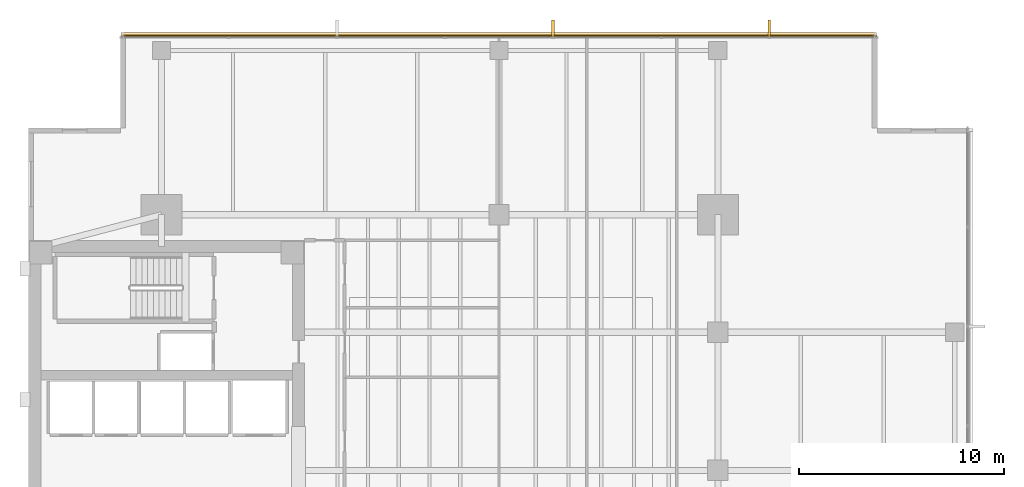
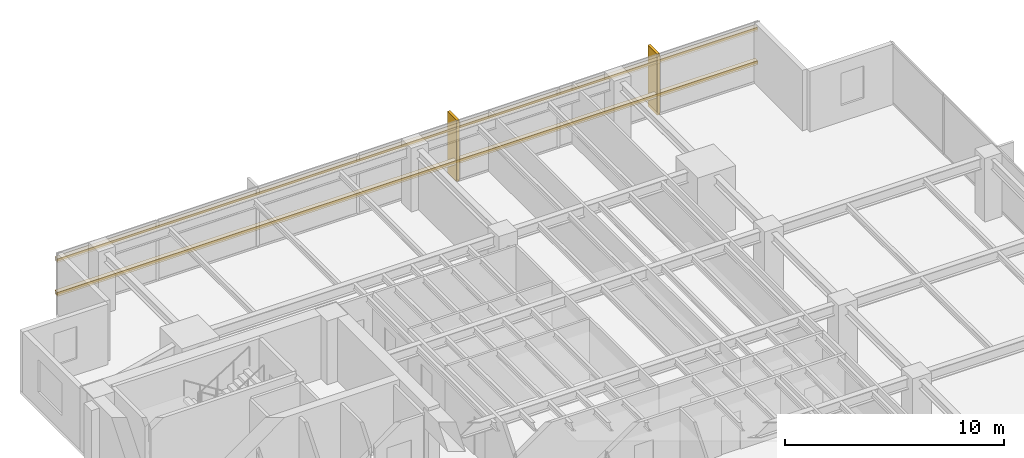
# One storey, part 14 of 14: 4 coverings, 2 shading devices.
"""IFC4 building model written with IfcOpenShell, lengths in metres."""

from ifc_helpers import new_model, si_unit, direction, frame, origin, origin_2d, place, context, subcontext, project, spatial, polyline, rectangle, outline, extrude, material, layer, layer_set, material_profile, profile_set, type_object, element, save


model = new_model("IFC4")

# Units and contexts
model_context = context("Model", 3, precision=1e-05, world=origin(), true_north=direction((0.0, 1.0)))
body_context = subcontext(model_context, "Body", "Model", "MODEL_VIEW")
ifc_project = project(units=[si_unit("LENGTHUNIT", "METRE"), si_unit("AREAUNIT", "SQUARE_METRE"), si_unit("VOLUMEUNIT", "CUBIC_METRE"), si_unit("PLANEANGLEUNIT", "RADIAN"), si_unit("MASSUNIT", "GRAM", prefix="KILO")], contexts=[model_context])

# Site, building, storey
site_placement = place(None, origin())
site = spatial("IfcSite", under=ifc_project, at=site_placement, CompositionType="ELEMENT")
building_placement = place(site_placement, origin())
building = spatial("IfcBuilding", under=site, at=building_placement, Name="Kinhvarn Gate Tower", CompositionType="ELEMENT")
storey_placement = place(building_placement, frame((0.0, 0.0, 127.10009765625)))
storey = spatial("IfcBuildingStorey", under=building, at=storey_placement, Name="L33", CompositionType="ELEMENT", Elevation=127.10009765625)

# Coverings
ifc_material = material(Name="Fired architectural terracotta", Category="masonry")
ifc_layer_1 = layer(ifc_material, 0.239990234375)
ifc_layer_set_1 = layer_set([ifc_layer_1], Name="Fired architectural terracotta")
covering_type_1 = type_object("IfcCoveringType", Name="COV-BAG-220", PredefinedType="CLADDING", material=ifc_layer_set_1)
for number, where, name in (
    (1, (0.0, 0.0, 0.93994140625), "Terracotta Horizontal Sunscreen Band TBG-220 (L33)"),
    (2, (0.0, 0.0, 2.809814453125), "Terracotta Horizontal Sunscreen Band TBG-220 (L33)"),
):
    element("IfcCovering", number, at=place(storey_placement, frame(where)), inside=storey, type_object=covering_type_1, Name=name, PredefinedType="CLADDING", context=body_context, shape_type="SweptSolid", body=[
        extrude(outline(polyline([(45.9599609375, 46.429931640625), (9.0400390625, 46.429931640625), (9.0400390625, 46.669921875), (45.9599609375, 46.669921875), (45.9599609375, 46.429931640625)])), origin(), (0.0, 0.0, 1.0), 0.219970703125),
    ])
ifc_layer_2 = layer(ifc_material, 0.139892578125)
ifc_layer_set_2 = layer_set([ifc_layer_2], Name="Fired architectural terracotta")
covering_type_2 = type_object("IfcCoveringType", Name="COV-FIN-850", PredefinedType="CLADDING", material=ifc_layer_set_2)
covering_1_placement = place(storey_placement, frame((0.0, 0.0, -0.02001953125)))
element("IfcCovering", 3, at=covering_1_placement, inside=storey, type_object=covering_type_2, Name="Vertical Terracotta Expressive Fin TFN-850 (L33)", PredefinedType="CLADDING", context=body_context, shape_type="SweptSolid", body=[
    extrude(outline(polyline([(40.7841796875, 46.419921875), (40.644287109375, 46.419921875), (40.644287109375, 47.27001953125), (40.7841796875, 47.27001953125), (40.7841796875, 46.419921875)])), origin(), (0.0, 0.0, 1.0), 3.409912109375),
])
covering_2_placement = place(storey_placement, frame((0.0, 0.0, -0.02001953125)))
element("IfcCovering", 4, at=covering_2_placement, inside=storey, type_object=covering_type_2, Name="Vertical Terracotta Expressive Fin TFN-850 (L33)", PredefinedType="CLADDING", context=body_context, shape_type="SweptSolid", body=[
    extrude(outline(polyline([(30.212890625, 46.419921875), (30.072998046875, 46.419921875), (30.072998046875, 47.27001953125), (30.212890625, 47.27001953125), (30.212890625, 46.419921875)])), origin(), (0.0, 0.0, 1.0), 3.409912109375),
])

# Shading devices
ifc_material_profile = material_profile(ifc_material, rectangle(XDim=0.050048828125, YDim=0.1201171875, at=origin_2d()), Name="TC 50x120")
ifc_profile_set = profile_set([ifc_material_profile], Name="Fired architectural terracotta")
shading_device_type = type_object("IfcShadingDeviceType", Name="SHD-BAG-140", PredefinedType="USERDEFINED", material=ifc_profile_set)
for number, where, z_axis, x_axis, name in (
    (5, (45.9599609375, 46.5, 1.0498046875), (-1.0, 0.0, 0.0), (0.0, -1.0, 0.0), "Upper Tower Terracotta Baguette Screen Rod 50x120 mm (L33)"),
    (6, (45.9599609375, 46.5, 2.919921875), (-1.0, 0.0, 0.0), (0.0, -1.0, 0.0), "Upper Tower Terracotta Baguette Screen Rod 50x120 mm (L33)"),
):
    element("IfcShadingDevice", number, at=place(storey_placement, frame(where, z_axis=z_axis, x_axis=x_axis)), inside=storey, type_object=shading_device_type, Name=name, ObjectType="BAGUETTE", PredefinedType="USERDEFINED", context=body_context, shape_type="SweptSolid", body=[
        extrude(rectangle(XDim=0.050048828125, YDim=0.1201171875, at=origin_2d()), origin(), (0.0, 0.0, 1.0), 36.919921875),
    ])

save(model, "model.ifc")
